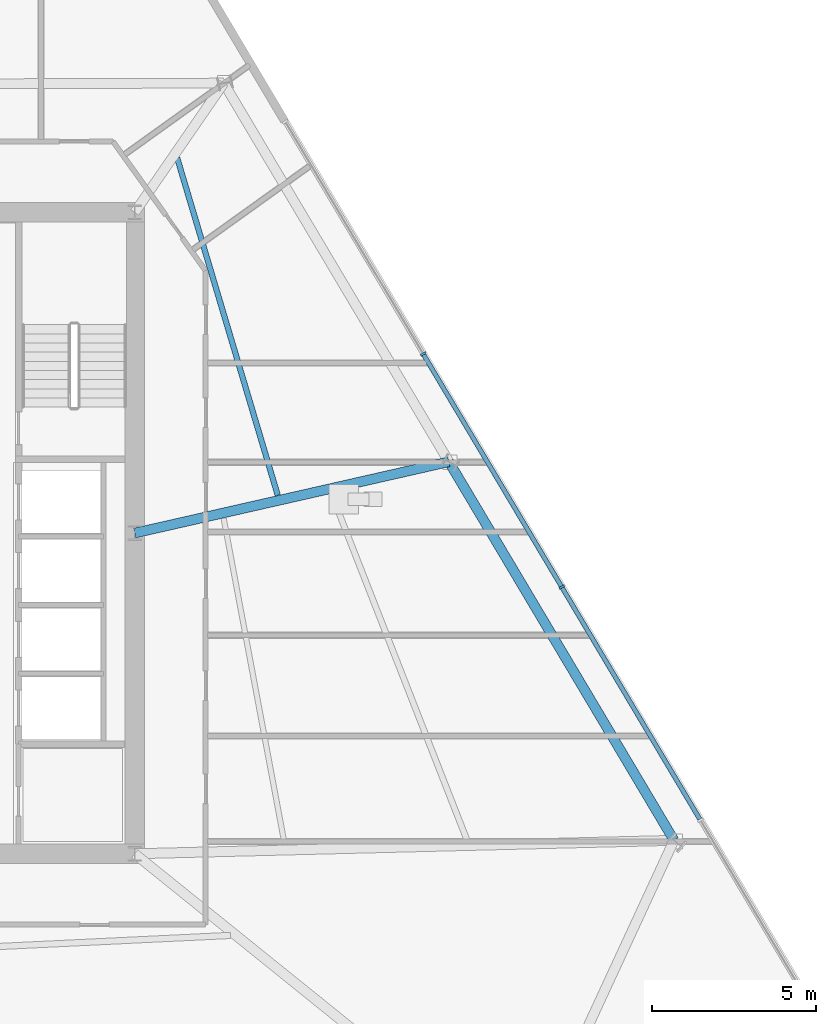
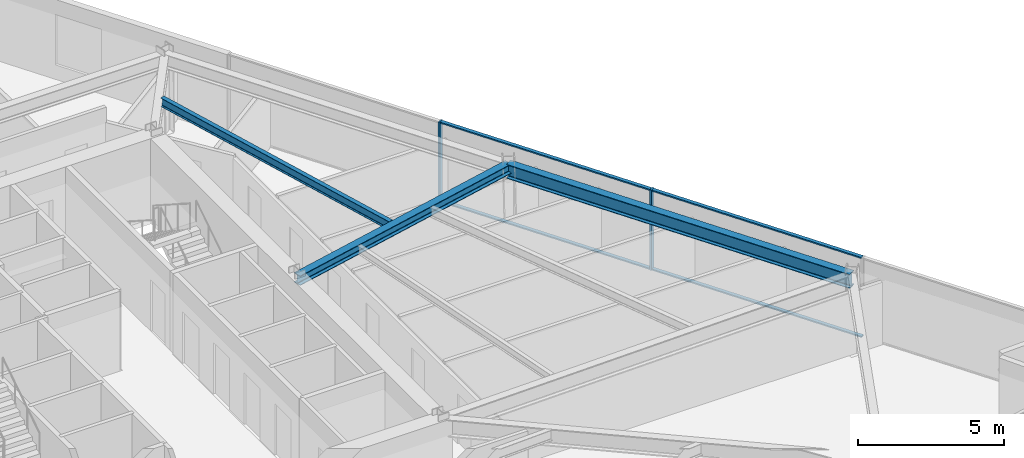
# One storey, part 6 of 17: 6 members, 3 beams, 1 element without a shape of its own.
"""IFC4 building model written with IfcOpenShell, lengths in metres."""

from ifc_helpers import new_model, si_unit, direction, frame, origin, origin_2d, place, context, subcontext, project, spatial, rectangle, i_section, extrude, material, material_profile, profile_set, type_object, element, aggregate, save


model = new_model("IFC4")

# Units and contexts
model_context = context("Model", 3, precision=1e-05, world=origin(), true_north=direction((0.0, 1.0)))
body_context = subcontext(model_context, "Body", "Model", "MODEL_VIEW")
ifc_project = project(units=[si_unit("LENGTHUNIT", "METRE"), si_unit("AREAUNIT", "SQUARE_METRE"), si_unit("VOLUMEUNIT", "CUBIC_METRE"), si_unit("PLANEANGLEUNIT", "RADIAN"), si_unit("MASSUNIT", "GRAM", prefix="KILO")], contexts=[model_context])

# Site, building, storey
site_placement = place(None, origin())
site = spatial("IfcSite", under=ifc_project, at=site_placement, CompositionType="ELEMENT")
building_placement = place(site_placement, origin())
building = spatial("IfcBuilding", under=site, at=building_placement, Name="Savorim Split Tower", CompositionType="ELEMENT")
storey_placement = place(building_placement, frame((0.0, 0.0, 62.39990234375)))
storey = spatial("IfcBuildingStorey", under=building, at=storey_placement, Name="L16", CompositionType="ELEMENT", Elevation=62.39990234375)

# Beams
ifc_material_1 = material(Name="Steel S355", Category="steel")
ifc_material_profile_1 = material_profile(ifc_material_1, i_section(OverallWidth=0.169921875, OverallDepth=0.360107421875, WebThickness=0.008056640625, FlangeThickness=0.0126953125, FilletRadius=0.01806640625, at=origin_2d()), Name="IPE 360")
ifc_profile_set_1 = profile_set([ifc_material_profile_1], Name="Steel S355")
beam_type_1 = type_object("IfcBeamType", Name="BM-JST-IPE360", PredefinedType="JOIST", material=ifc_profile_set_1)
beam_1_placement = place(storey_placement, frame((12.070556640625, 1.55615234375, 3.170166015625), z_axis=(-0.285729422534, 0.958310334442, 0.0), x_axis=(-0.958310334442, -0.285729422534, 0.0)))
element("IfcBeam", 1, at=beam_1_placement, inside=storey, type_object=beam_type_1, Name="L16 Secondary Floor Joist JS-07", PredefinedType="JOIST", context=body_context, shape_type="SweptSolid", body=[
    extrude(i_section(OverallWidth=0.169921875, OverallDepth=0.360107421875, WebThickness=0.008056640625, FlangeThickness=0.0126953125, FilletRadius=0.01806640625, at=origin_2d()), origin(), (0.0, 0.0, 1.0), 10.755859375),
])
ifc_material_profile_2 = material_profile(ifc_material_1, i_section(OverallWidth=0.300048828125, OverallDepth=0.39990234375, WebThickness=0.013427734375, FlangeThickness=0.02392578125, FilletRadius=0.027099609375, at=origin_2d()), Name="HEB 400")
ifc_profile_set_2 = profile_set([ifc_material_profile_2], Name="Steel S355")
beam_type_2 = type_object("IfcBeamType", Name="BM-PRI-HEB400", PredefinedType="BEAM", material=ifc_profile_set_2)
beam_2_placement = place(storey_placement, frame((17.300537109375, 2.580078125, 3.150146484375), z_axis=(-0.975171816567, -0.221449606397, 0.0), x_axis=(0.221449606397, -0.975171816567, 0.0)))
element("IfcBeam", 2, at=beam_2_placement, inside=storey, type_object=beam_type_2, Name="L16 Primary Floor Girder RG-06", PredefinedType="BEAM", context=body_context, shape_type="SweptSolid", body=[
    extrude(i_section(OverallWidth=0.300048828125, OverallDepth=0.39990234375, WebThickness=0.013427734375, FlangeThickness=0.02392578125, FilletRadius=0.027099609375, at=origin_2d()), origin(), (0.0, 0.0, 1.0), 9.844970703125),
])
ifc_material_profile_3 = material_profile(ifc_material_1, i_section(OverallWidth=0.300048828125, OverallDepth=0.590087890625, WebThickness=0.012939453125, FlangeThickness=0.02490234375, FilletRadius=0.027099609375, at=origin_2d()), Name="HEA 600")
ifc_profile_set_3 = profile_set([ifc_material_profile_3], Name="Steel S355")
beam_type_3 = type_object("IfcBeamType", Name="BM-SPN-HEA600", PredefinedType="SPANDREL", material=ifc_profile_set_3)
beam_3_placement = place(storey_placement, frame((24.18017578125, -8.989501953125, 3.05517578125), z_axis=(-0.511098933368, 0.859521890535, 0.0), x_axis=(-0.859521890535, -0.511098933368, 0.0)))
element("IfcBeam", 3, at=beam_3_placement, inside=storey, type_object=beam_type_3, Name="L16 Perimeter Spandrel Beam 5", PredefinedType="SPANDREL", context=body_context, shape_type="SweptSolid", body=[
    extrude(i_section(OverallWidth=0.300048828125, OverallDepth=0.590087890625, WebThickness=0.012939453125, FlangeThickness=0.02490234375, FilletRadius=0.027099609375, at=origin_2d()), origin(), (0.0, 0.0, 1.0), 13.46044921875),
])

# Curtain wall, members
ifc_material_2 = material(Name="Dark Ceramic-Fritted Insulated Glass", Category="glass")
curtain_wall_type = type_object("IfcCurtainWallType", Name="CW-TWR-FRIT-A", PredefinedType="NOTDEFINED", material=ifc_material_2)
curtain_wall_placement = place(storey_placement, origin())
curtain_wall = element("IfcCurtainWall", 4, at=curtain_wall_placement, inside=storey, type_object=curtain_wall_type, Name="L16 Curtain Wall CW-L16-EAST", PredefinedType="NOTDEFINED")
ifc_material_3 = material(Name="Charcoal Anodised Aluminium", Category="aluminium")
ifc_material_profile_4 = material_profile(ifc_material_3, rectangle(XDim=0.179931640625, YDim=0.06494140625, at=origin_2d()), Name="ALU-M 180x65")
ifc_profile_set_4 = profile_set([ifc_material_profile_4], Name="Charcoal Anodised Aluminium")
member_type_1 = type_object("IfcMemberType", Name="CWM-180x65", PredefinedType="MULLION", material=ifc_profile_set_4)
member_1_placement = place(storey_placement, frame((20.750244140625, -1.248779296875, 0.0), z_axis=(0.0, 0.0, 1.0), x_axis=(-0.859525822673, -0.511092320583, 0.0)))
member_1 = element("IfcMember", 5, at=member_1_placement, type_object=member_type_1, Name="CW-02 mullion 3", PredefinedType="MULLION", context=body_context, shape_type="SweptSolid", body=[
    extrude(rectangle(XDim=0.179931640625, YDim=0.06494140625, at=origin_2d()), origin(), (0.0, 0.0, 1.0), 3.35009765625),
])
member_2_placement = place(storey_placement, frame((16.51513671875, 5.87353515625, 0.0), z_axis=(0.0, 0.0, 1.0), x_axis=(-0.859525822673, -0.511092320583, 0.0)))
member_2 = element("IfcMember", 6, at=member_2_placement, type_object=member_type_1, Name="CW-02 mullion 4", PredefinedType="MULLION", context=body_context, shape_type="SweptSolid", body=[
    extrude(rectangle(XDim=0.179931640625, YDim=0.06494140625, at=origin_2d()), origin(), (0.0, 0.0, 1.0), 3.35009765625),
])
ifc_material_profile_5 = material_profile(ifc_material_3, rectangle(XDim=0.139892578125, YDim=0.054931640625, at=origin_2d()), Name="ALU-T 140x55")
ifc_profile_set_5 = profile_set([ifc_material_profile_5], Name="Charcoal Anodised Aluminium")
member_type_2 = type_object("IfcMemberType", Name="CWT-140x55", PredefinedType="USERDEFINED", material=ifc_profile_set_5)
member_3_placement = place(storey_placement, frame((24.96875, -8.343505859375, 0.027587890625), z_axis=(-0.511085472891, 0.859529894419, 0.0), x_axis=(-0.859529894419, -0.511085472891, 0.0)))
member_3 = element("IfcMember", 7, at=member_3_placement, type_object=member_type_2, Name="CW-02 transom 2.1", ObjectType="TRANSOM", PredefinedType="USERDEFINED", context=body_context, shape_type="SweptSolid", body=[
    extrude(rectangle(XDim=0.139892578125, YDim=0.054931640625, at=origin_2d()), origin(), (0.0, 0.0, 1.0), 8.221435546875),
])
member_4_placement = place(storey_placement, frame((24.96875, -8.343505859375, 3.322509765625), z_axis=(-0.511085472891, 0.859529894419, 0.0), x_axis=(-0.859529894419, -0.511085472891, 0.0)))
member_4 = element("IfcMember", 8, at=member_4_placement, type_object=member_type_2, Name="CW-02 transom 2.2", ObjectType="TRANSOM", PredefinedType="USERDEFINED", context=body_context, shape_type="SweptSolid", body=[
    extrude(rectangle(XDim=0.139892578125, YDim=0.054931640625, at=origin_2d()), origin(), (0.0, 0.0, 1.0), 8.221435546875),
])
member_5_placement = place(storey_placement, frame((20.733642578125, -1.220947265625, 0.027587890625), z_axis=(-0.511085472891, 0.859529894419, 0.0), x_axis=(-0.859529894419, -0.511085472891, 0.0)))
member_5 = element("IfcMember", 9, at=member_5_placement, type_object=member_type_2, Name="CW-02 transom 3.1", ObjectType="TRANSOM", PredefinedType="USERDEFINED", context=body_context, shape_type="SweptSolid", body=[
    extrude(rectangle(XDim=0.139892578125, YDim=0.054931640625, at=origin_2d()), origin(), (0.0, 0.0, 1.0), 8.221435546875),
])
member_6_placement = place(storey_placement, frame((20.733642578125, -1.220947265625, 3.322509765625), z_axis=(-0.511085472891, 0.859529894419, 0.0), x_axis=(-0.859529894419, -0.511085472891, 0.0)))
member_6 = element("IfcMember", 10, at=member_6_placement, type_object=member_type_2, Name="CW-02 transom 3.2", ObjectType="TRANSOM", PredefinedType="USERDEFINED", context=body_context, shape_type="SweptSolid", body=[
    extrude(rectangle(XDim=0.139892578125, YDim=0.054931640625, at=origin_2d()), origin(), (0.0, 0.0, 1.0), 8.221435546875),
])
aggregate(curtain_wall, [member_1, member_2, member_3, member_4, member_5, member_6])

save(model, "model.ifc")
